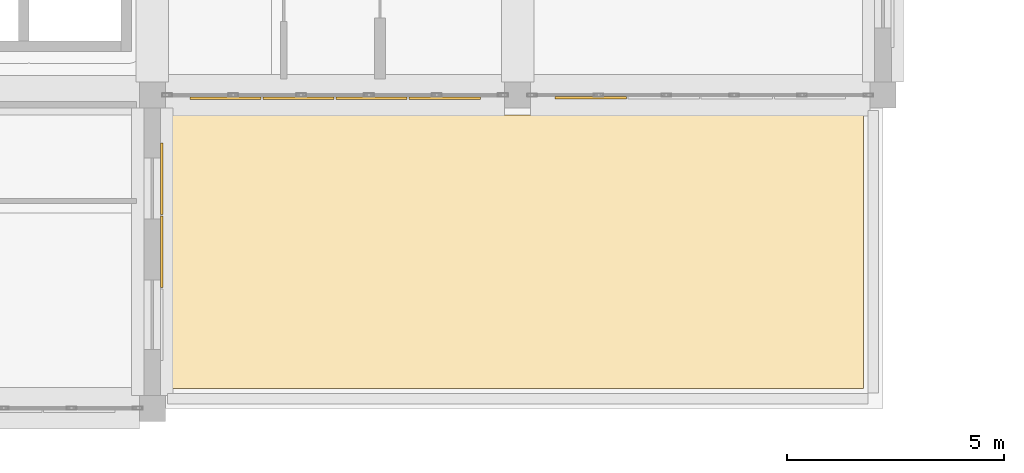
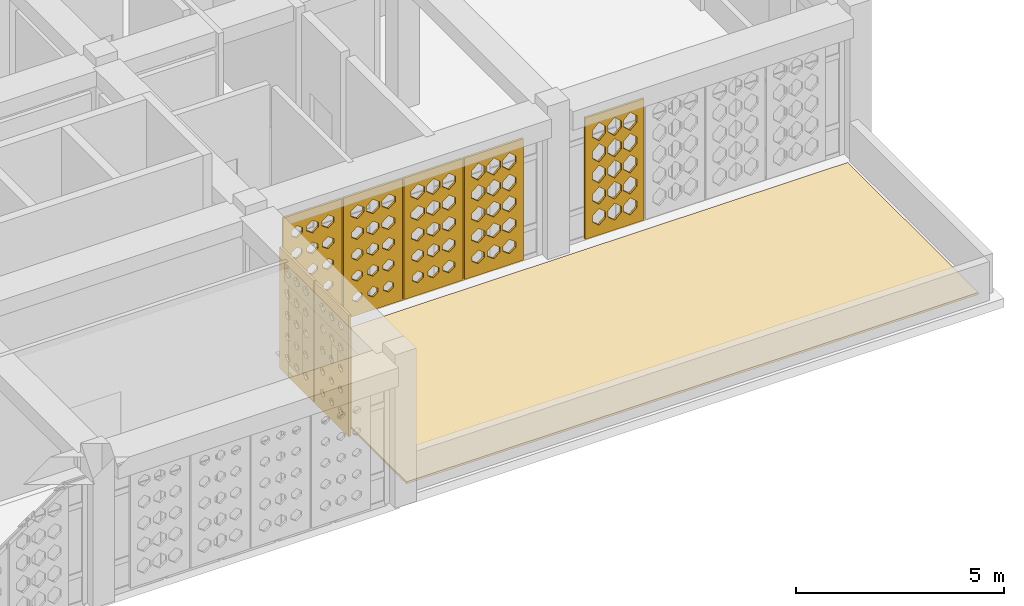
# One storey, part 21 of 28: 8 coverings.
"""IFC4 building model written with IfcOpenShell, lengths in metres."""

from ifc_helpers import new_model, si_unit, derived_unit, direction, frame, origin, place, context, subcontext, project, spatial, polyline, outline, extrude, material, layer, layer_set, type_object, element, save


model = new_model("IFC4")

# Units and contexts
model_context = context("Model", 3, precision=1e-05, world=origin(), true_north=direction((0.0, 1.0)))
body_context = subcontext(model_context, "Body", "Model", "MODEL_VIEW")
ifc_project = project(units=[si_unit("LENGTHUNIT", "METRE"), si_unit("AREAUNIT", "SQUARE_METRE"), si_unit("VOLUMEUNIT", "CUBIC_METRE"), si_unit("PLANEANGLEUNIT", "RADIAN"), si_unit("MASSUNIT", "GRAM", prefix="KILO"), derived_unit("THERMALTRANSMITTANCEUNIT", [(si_unit("POWERUNIT", "WATT"), 1), (si_unit("LENGTHUNIT", "METRE"), -2), (si_unit("THERMODYNAMICTEMPERATUREUNIT", "KELVIN"), -1)])], contexts=[model_context])

# Site, building, storey
site_placement = place(None, origin())
site = spatial("IfcSite", under=ifc_project, at=site_placement, CompositionType="ELEMENT")
building_placement = place(site_placement, origin())
building = spatial("IfcBuilding", under=site, at=building_placement, Name="Veybourne Emporium", CompositionType="ELEMENT")
storey_placement = place(building_placement, frame((0.0, 0.0, 32.10009765625)))
storey = spatial("IfcBuildingStorey", under=building, at=storey_placement, Name="L07", CompositionType="ELEMENT", Elevation=32.10009765625)

# Coverings
ifc_material_1 = material(Name="Single-Ply Warm Roof Membrane", Category="membrane")
ifc_layer_1 = layer(ifc_material_1, 0.06005859375)
ifc_layer_set_1 = layer_set([ifc_layer_1], Name="Single-Ply Warm Roof Membrane")
covering_type_1 = type_object("IfcCoveringType", Name="Roofing_RFG-01", PredefinedType="ROOFING", material=ifc_layer_set_1)
covering_1_placement = place(storey_placement, origin())
element("IfcCovering", 1, at=covering_1_placement, inside=storey, type_object=covering_type_1, Name="L07 warm-roof waterproofing membrane 1.1", PredefinedType="ROOFING", context=body_context, shape_type="SweptSolid", body=[
    extrude(outline(polyline([(49.949951171875, 13.949951171875), (49.949951171875, 7.64990234375), (34.050048828125, 7.64990234375), (34.050048828125, 13.949951171875), (49.949951171875, 13.949951171875)])), origin(), (0.0, 0.0, 1.0), 0.059814453125),
])
ifc_material_2 = material(Name="Warm-White Perforated Aluminium Screen Alloy", Category="aluminium")
ifc_layer_2 = layer(ifc_material_2, 0.06005859375)
ifc_layer_set_2 = layer_set([ifc_layer_2], Name="Warm-White Perforated Aluminium Screen Alloy")
covering_type_2 = type_object("IfcCoveringType", Name="WaveScreen_SCR-01", PredefinedType="CLADDING", material=ifc_layer_set_2)
covering_2_placement = place(storey_placement, frame((33.84814453125, 12.47998046875, 1.844970703125), z_axis=(-1.0, 0.0, 0.0), x_axis=(0.0, -1.0, 0.0)))
element("IfcCovering", 2, at=covering_2_placement, inside=storey, type_object=covering_type_2, Name="L07 wave-perforated aluminium screen SCR-01 (12.1)", PredefinedType="CLADDING", context=body_context, shape_type="SweptSolid", body=[
    extrude(outline(polyline([(-0.81982421875, -1.78515625), (0.81982421875, -1.78515625), (0.81982421875, 1.78515625), (-0.81982421875, 1.78515625), (-0.81982421875, -1.78515625)]), holes=[polyline([(-0.433349609375, -1.138671875), (-0.33056640625, -1.211181640625), (-0.33056640625, -1.292724609375), (-0.433349609375, -1.365478515625), (-0.5361328125, -1.292724609375), (-0.5361328125, -1.211181640625), (-0.433349609375, -1.138671875)]), polyline([(-0.433349609375, -0.50732421875), (-0.326416015625, -0.583251953125), (-0.326416015625, -0.668701171875), (-0.433349609375, -0.74462890625), (-0.540283203125, -0.668701171875), (-0.540283203125, -0.583251953125), (-0.433349609375, -0.50732421875)]), polyline([(-0.433349609375, 0.126220703125), (-0.320068359375, 0.04541015625), (-0.320068359375, -0.04541015625), (-0.433349609375, -0.126220703125), (-0.546630859375, -0.04541015625), (-0.546630859375, 0.04541015625), (-0.433349609375, 0.126220703125)]), polyline([(-0.433349609375, 0.76171875), (-0.312255859375, 0.6748046875), (-0.312255859375, 0.5771484375), (-0.433349609375, 0.490234375), (-0.554443359375, 0.5771484375), (-0.554443359375, 0.6748046875), (-0.433349609375, 0.76171875)]), polyline([(-0.433349609375, 1.399169921875), (-0.302978515625, 1.304931640625), (-0.302978515625, 1.198974609375), (-0.433349609375, 1.10498046875), (-0.563720703125, 1.198974609375), (-0.563720703125, 1.304931640625), (-0.433349609375, 1.399169921875)]), polyline([(0.0, -1.14013671875), (0.1015625, -1.2119140625), (0.1015625, -1.292236328125), (0.0, -1.36376953125), (-0.1015625, -1.292236328125), (-0.1015625, -1.2119140625), (0.0, -1.14013671875)]), polyline([(0.0, -0.510009765625), (0.10498046875, -0.584228515625), (0.10498046875, -0.667724609375), (0.0, -0.741943359375), (-0.10498046875, -0.667724609375), (-0.10498046875, -0.584228515625), (0.0, -0.510009765625)]), polyline([(0.0, 0.12255859375), (0.1103515625, 0.044189453125), (0.1103515625, -0.044189453125), (0.0, -0.12255859375), (-0.1103515625, -0.044189453125), (-0.1103515625, 0.044189453125), (0.0, 0.12255859375)]), polyline([(0.0, 0.75732421875), (0.117431640625, 0.67333984375), (0.117431640625, 0.57861328125), (0.0, 0.49462890625), (-0.117431640625, 0.57861328125), (-0.117431640625, 0.67333984375), (0.0, 0.75732421875)]), polyline([(0.0, 1.393798828125), (0.126220703125, 1.302978515625), (0.126220703125, 1.200927734375), (0.0, 1.110107421875), (-0.126220703125, 1.200927734375), (-0.126220703125, 1.302978515625), (0.0, 1.393798828125)]), polyline([(0.433349609375, -1.141357421875), (0.533935546875, -1.212158203125), (0.533935546875, -1.2919921875), (0.433349609375, -1.36279296875), (0.332763671875, -1.2919921875), (0.332763671875, -1.212158203125), (0.433349609375, -1.141357421875)]), polyline([(0.433349609375, -0.51220703125), (0.53662109375, -0.5849609375), (0.53662109375, -0.6669921875), (0.433349609375, -0.73974609375), (0.330078125, -0.6669921875), (0.330078125, -0.5849609375), (0.433349609375, -0.51220703125)]), polyline([(0.433349609375, 0.119384765625), (0.541015625, 0.04296875), (0.541015625, -0.04296875), (0.433349609375, -0.119384765625), (0.32568359375, -0.04296875), (0.32568359375, 0.04296875), (0.433349609375, 0.119384765625)]), polyline([(0.433349609375, 0.753173828125), (0.54736328125, 0.671875), (0.54736328125, 0.580078125), (0.433349609375, 0.498779296875), (0.3193359375, 0.580078125), (0.3193359375, 0.671875), (0.433349609375, 0.753173828125)]), polyline([(0.433349609375, 1.388916015625), (0.555419921875, 1.30126953125), (0.555419921875, 1.20263671875), (0.433349609375, 1.114990234375), (0.311279296875, 1.20263671875), (0.311279296875, 1.30126953125), (0.433349609375, 1.388916015625)])]), origin(), (0.0, 0.0, 1.0), 0.06005859375),
])
covering_3_placement = place(storey_placement, frame((36.9599609375, 14.302978515625, 1.844970703125), z_axis=(0.0, 1.0, 0.0), x_axis=(-1.0, 0.0, 0.0)))
element("IfcCovering", 3, at=covering_3_placement, inside=storey, type_object=covering_type_2, Name="L07 wave-perforated aluminium screen SCR-01 (14C.3)", PredefinedType="CLADDING", context=body_context, shape_type="SweptSolid", body=[
    extrude(outline(polyline([(-0.81982421875, -1.78515625), (0.81982421875, -1.78515625), (0.81982421875, 1.78515625), (-0.81982421875, 1.78515625), (-0.81982421875, -1.78515625)]), holes=[polyline([(-0.433349609375, -1.090576171875), (-0.291259765625, -1.19384765625), (-0.291259765625, -1.310302734375), (-0.433349609375, -1.41357421875), (-0.575439453125, -1.310302734375), (-0.575439453125, -1.19384765625), (-0.433349609375, -1.090576171875)]), polyline([(-0.433349609375, -0.45068359375), (-0.27978515625, -0.56298828125), (-0.27978515625, -0.689208984375), (-0.433349609375, -0.80126953125), (-0.5869140625, -0.689208984375), (-0.5869140625, -0.56298828125), (-0.433349609375, -0.45068359375)]), polyline([(-0.433349609375, 0.189697265625), (-0.26806640625, 0.068359375), (-0.26806640625, -0.068359375), (-0.433349609375, -0.189697265625), (-0.598388671875, -0.068359375), (-0.598388671875, 0.068359375), (-0.433349609375, 0.189697265625)]), polyline([(-0.433349609375, 0.830078125), (-0.25634765625, 0.699462890625), (-0.25634765625, 0.552490234375), (-0.433349609375, 0.421875), (-0.6103515625, 0.552490234375), (-0.6103515625, 0.699462890625), (-0.433349609375, 0.830078125)]), polyline([(-0.433349609375, 1.47021484375), (-0.2470703125, 1.33056640625), (-0.2470703125, 1.173583984375), (-0.433349609375, 1.03369140625), (-0.61962890625, 1.173583984375), (-0.61962890625, 1.33056640625), (-0.433349609375, 1.47021484375)]), polyline([(0.0, -1.09619140625), (0.137451171875, -1.196044921875), (0.137451171875, -1.30810546875), (0.0, -1.40771484375), (-0.137451171875, -1.30810546875), (-0.137451171875, -1.196044921875), (0.0, -1.09619140625)]), polyline([(0.0, -0.456787109375), (0.1484375, -0.565185546875), (0.1484375, -0.68701171875), (0.0, -0.795166015625), (-0.1484375, -0.68701171875), (-0.1484375, -0.565185546875), (0.0, -0.456787109375)]), polyline([(0.0, 0.183349609375), (0.159912109375, 0.06591796875), (0.159912109375, -0.06591796875), (0.0, -0.183349609375), (-0.159912109375, -0.06591796875), (-0.159912109375, 0.06591796875), (0.0, 0.183349609375)]), polyline([(0.0, 0.82373046875), (0.171875, 0.697265625), (0.171875, 0.5546875), (0.0, 0.42822265625), (-0.171875, 0.5546875), (-0.171875, 0.697265625), (0.0, 0.82373046875)]), polyline([(0.0, 1.464111328125), (0.183349609375, 1.328369140625), (0.183349609375, 1.17578125), (0.0, 1.0400390625), (-0.183349609375, 1.17578125), (-0.183349609375, 1.328369140625), (0.0, 1.464111328125)]), polyline([(0.433349609375, -1.10205078125), (0.566162109375, -1.197998046875), (0.566162109375, -1.305908203125), (0.433349609375, -1.402099609375), (0.300537109375, -1.305908203125), (0.300537109375, -1.197998046875), (0.433349609375, -1.10205078125)]), polyline([(0.433349609375, -0.462890625), (0.57666015625, -0.5673828125), (0.57666015625, -0.684814453125), (0.433349609375, -0.7890625), (0.2900390625, -0.684814453125), (0.2900390625, -0.5673828125), (0.433349609375, -0.462890625)]), polyline([(0.433349609375, 0.177001953125), (0.588134765625, 0.063720703125), (0.588134765625, -0.063720703125), (0.433349609375, -0.177001953125), (0.278564453125, -0.063720703125), (0.278564453125, 0.063720703125), (0.433349609375, 0.177001953125)]), polyline([(0.433349609375, 0.8173828125), (0.599853515625, 0.69482421875), (0.599853515625, 0.55712890625), (0.433349609375, 0.434814453125), (0.266845703125, 0.55712890625), (0.266845703125, 0.69482421875), (0.433349609375, 0.8173828125)]), polyline([(0.433349609375, 1.457763671875), (0.611572265625, 1.325927734375), (0.611572265625, 1.177978515625), (0.433349609375, 1.04638671875), (0.255126953125, 1.177978515625), (0.255126953125, 1.325927734375), (0.433349609375, 1.457763671875)])]), origin(), (0.0, 0.0, 1.0), 0.06005859375),
])
ifc_layer_3 = layer(ifc_material_2, 0.06005859375)
ifc_layer_set_3 = layer_set([ifc_layer_3], Name="Warm-White Perforated Aluminium Screen Alloy")
covering_type_3 = type_object("IfcCoveringType", Name="WaveScreen_SCR-02", PredefinedType="CLADDING", material=ifc_layer_set_3)
covering_4_placement = place(storey_placement, frame((33.84814453125, 10.800048828125, 1.844970703125), z_axis=(-1.0, 0.0, 0.0), x_axis=(0.0, -1.0, 0.0)))
element("IfcCovering", 4, at=covering_4_placement, inside=storey, type_object=covering_type_3, Name="L07 wave-perforated aluminium screen SCR-02 (12.2)", PredefinedType="CLADDING", context=body_context, shape_type="SweptSolid", body=[
    extrude(outline(polyline([(-0.81982421875, -1.78515625), (0.81982421875, -1.78515625), (0.81982421875, 1.78515625), (-0.81982421875, 1.78515625), (-0.81982421875, -1.78515625)]), holes=[polyline([(-0.433349609375, -1.14208984375), (-0.333251953125, -1.21240234375), (-0.333251953125, -1.29150390625), (-0.433349609375, -1.362060546875), (-0.533203125, -1.29150390625), (-0.533203125, -1.21240234375), (-0.433349609375, -1.14208984375)]), polyline([(-0.433349609375, -0.514892578125), (-0.33251953125, -0.5859375), (-0.33251953125, -0.666015625), (-0.433349609375, -0.737060546875), (-0.5341796875, -0.666015625), (-0.5341796875, -0.5859375), (-0.433349609375, -0.514892578125)]), polyline([(-0.433349609375, 0.114501953125), (-0.32958984375, 0.041259765625), (-0.32958984375, -0.041259765625), (-0.433349609375, -0.114501953125), (-0.537109375, -0.041259765625), (-0.537109375, 0.041259765625), (-0.433349609375, 0.114501953125)]), polyline([(-0.433349609375, 0.74658203125), (-0.32470703125, 0.66943359375), (-0.32470703125, 0.58251953125), (-0.433349609375, 0.505615234375), (-0.5419921875, 0.58251953125), (-0.5419921875, 0.66943359375), (-0.433349609375, 0.74658203125)]), polyline([(-0.433349609375, 1.380615234375), (-0.318115234375, 1.29833984375), (-0.318115234375, 1.205810546875), (-0.433349609375, 1.123291015625), (-0.548583984375, 1.205810546875), (-0.548583984375, 1.29833984375), (-0.433349609375, 1.380615234375)]), polyline([(0.0, -1.1416015625), (0.100341796875, -1.21240234375), (0.100341796875, -1.291748046875), (0.0, -1.3623046875), (-0.100341796875, -1.291748046875), (-0.100341796875, -1.21240234375), (0.0, -1.1416015625)]), polyline([(0.0, -0.515625), (0.10009765625, -0.586181640625), (0.10009765625, -0.665771484375), (0.0, -0.736328125), (-0.10009765625, -0.665771484375), (-0.10009765625, -0.586181640625), (0.0, -0.515625)]), polyline([(0.0, 0.11279296875), (0.102294921875, 0.04052734375), (0.102294921875, -0.04052734375), (0.0, -0.11279296875), (-0.102294921875, -0.04052734375), (-0.102294921875, 0.04052734375), (0.0, 0.11279296875)]), polyline([(0.0, 0.74365234375), (0.106201171875, 0.668212890625), (0.106201171875, 0.583740234375), (0.0, 0.50830078125), (-0.106201171875, 0.583740234375), (-0.106201171875, 0.668212890625), (0.0, 0.74365234375)]), polyline([(0.0, 1.376708984375), (0.112060546875, 1.296875), (0.112060546875, 1.20703125), (0.0, 1.127197265625), (-0.112060546875, 1.20703125), (-0.112060546875, 1.296875), (0.0, 1.376708984375)]), polyline([(0.433349609375, -1.140869140625), (0.5341796875, -1.2119140625), (0.5341796875, -1.2919921875), (0.433349609375, -1.36328125), (0.332275390625, -1.2919921875), (0.332275390625, -1.2119140625), (0.433349609375, -1.140869140625)]), polyline([(0.433349609375, -0.51611328125), (0.533203125, -0.58642578125), (0.533203125, -0.66552734375), (0.433349609375, -0.736083984375), (0.333251953125, -0.66552734375), (0.333251953125, -0.58642578125), (0.433349609375, -0.51611328125)]), polyline([(0.433349609375, 0.111328125), (0.534423828125, 0.0400390625), (0.534423828125, -0.0400390625), (0.433349609375, -0.111328125), (0.332275390625, -0.0400390625), (0.332275390625, 0.0400390625), (0.433349609375, 0.111328125)]), polyline([(0.433349609375, 0.7412109375), (0.53759765625, 0.66748046875), (0.53759765625, 0.584716796875), (0.433349609375, 0.510986328125), (0.3291015625, 0.584716796875), (0.3291015625, 0.66748046875), (0.433349609375, 0.7412109375)]), polyline([(0.433349609375, 1.373291015625), (0.54248046875, 1.295654296875), (0.54248046875, 1.208251953125), (0.433349609375, 1.130615234375), (0.32421875, 1.208251953125), (0.32421875, 1.295654296875), (0.433349609375, 1.373291015625)])]), origin(), (0.0, 0.0, 1.0), 0.06005859375),
])
covering_5_placement = place(storey_placement, frame((35.280029296875, 14.302978515625, 1.844970703125), z_axis=(0.0, 1.0, 0.0), x_axis=(-1.0, 0.0, 0.0)))
element("IfcCovering", 5, at=covering_5_placement, inside=storey, type_object=covering_type_3, Name="L07 wave-perforated aluminium screen SCR-02 (14C.4)", PredefinedType="CLADDING", context=body_context, shape_type="SweptSolid", body=[
    extrude(outline(polyline([(-0.81982421875, -1.78515625), (0.81982421875, -1.78515625), (0.81982421875, 1.78515625), (-0.81982421875, 1.78515625), (-0.81982421875, -1.78515625)]), holes=[polyline([(-0.433349609375, -1.11181640625), (-0.30859375, -1.201416015625), (-0.30859375, -1.302490234375), (-0.433349609375, -1.39208984375), (-0.55810546875, -1.302490234375), (-0.55810546875, -1.201416015625), (-0.433349609375, -1.11181640625)]), polyline([(-0.433349609375, -0.473876953125), (-0.298828125, -0.5712890625), (-0.298828125, -0.680908203125), (-0.433349609375, -0.778076171875), (-0.56787109375, -0.680908203125), (-0.56787109375, -0.5712890625), (-0.433349609375, -0.473876953125)]), polyline([(-0.433349609375, 0.165283203125), (-0.2880859375, 0.0595703125), (-0.2880859375, -0.0595703125), (-0.433349609375, -0.165283203125), (-0.57861328125, -0.0595703125), (-0.57861328125, 0.0595703125), (-0.433349609375, 0.165283203125)]), polyline([(-0.433349609375, 0.80517578125), (-0.276611328125, 0.6904296875), (-0.276611328125, 0.5615234375), (-0.433349609375, 0.44677734375), (-0.590087890625, 0.5615234375), (-0.590087890625, 0.6904296875), (-0.433349609375, 0.80517578125)]), polyline([(-0.433349609375, 1.44580078125), (-0.264892578125, 1.32177734375), (-0.264892578125, 1.182373046875), (-0.433349609375, 1.058349609375), (-0.601806640625, 1.182373046875), (-0.601806640625, 1.32177734375), (-0.433349609375, 1.44580078125)]), polyline([(0.0, -1.11669921875), (0.12060546875, -1.203369140625), (0.12060546875, -1.30078125), (0.0, -1.387451171875), (-0.12060546875, -1.30078125), (-0.12060546875, -1.203369140625), (0.0, -1.11669921875)]), polyline([(0.0, -0.4794921875), (0.1298828125, -0.5732421875), (0.1298828125, -0.6787109375), (0.0, -0.772705078125), (-0.1298828125, -0.6787109375), (-0.1298828125, -0.5732421875), (0.0, -0.4794921875)]), polyline([(0.0, 0.1591796875), (0.140380859375, 0.057373046875), (0.140380859375, -0.057373046875), (0.0, -0.1591796875), (-0.140380859375, -0.057373046875), (-0.140380859375, 0.057373046875), (0.0, 0.1591796875)]), polyline([(0.0, 0.798828125), (0.151611328125, 0.688232421875), (0.151611328125, 0.563720703125), (0.0, 0.453125), (-0.151611328125, 0.563720703125), (-0.151611328125, 0.688232421875), (0.0, 0.798828125)]), polyline([(0.0, 1.439208984375), (0.1630859375, 1.3193359375), (0.1630859375, 1.1845703125), (0.0, 1.064697265625), (-0.1630859375, 1.1845703125), (-0.1630859375, 1.3193359375), (0.0, 1.439208984375)]), polyline([(0.433349609375, -1.12109375), (0.55029296875, -1.204833984375), (0.55029296875, -1.299072265625), (0.433349609375, -1.3828125), (0.316162109375, -1.299072265625), (0.316162109375, -1.204833984375), (0.433349609375, -1.12109375)]), polyline([(0.433349609375, -0.484619140625), (0.55908203125, -0.5751953125), (0.55908203125, -0.677001953125), (0.433349609375, -0.767333984375), (0.3076171875, -0.677001953125), (0.3076171875, -0.5751953125), (0.433349609375, -0.484619140625)]), polyline([(0.433349609375, 0.153564453125), (0.56884765625, 0.055419921875), (0.56884765625, -0.055419921875), (0.433349609375, -0.153564453125), (0.2978515625, -0.055419921875), (0.2978515625, 0.055419921875), (0.433349609375, 0.153564453125)]), polyline([(0.433349609375, 0.792724609375), (0.579833984375, 0.68603515625), (0.579833984375, 0.56591796875), (0.433349609375, 0.459228515625), (0.286865234375, 0.56591796875), (0.286865234375, 0.68603515625), (0.433349609375, 0.792724609375)]), polyline([(0.433349609375, 1.432861328125), (0.59130859375, 1.317138671875), (0.59130859375, 1.18701171875), (0.433349609375, 1.0712890625), (0.275390625, 1.18701171875), (0.275390625, 1.317138671875), (0.433349609375, 1.432861328125)])]), origin(), (0.0, 0.0, 1.0), 0.06005859375),
])
ifc_layer_4 = layer(ifc_material_2, 0.06005859375)
ifc_layer_set_4 = layer_set([ifc_layer_4], Name="Warm-White Perforated Aluminium Screen Alloy")
covering_type_4 = type_object("IfcCoveringType", Name="WaveScreen_SCR-03", PredefinedType="CLADDING", material=ifc_layer_set_4)
covering_6_placement = place(storey_placement, frame((40.320068359375, 14.302978515625, 1.844970703125), z_axis=(0.0, 1.0, 0.0), x_axis=(-1.0, 0.0, 0.0)))
element("IfcCovering", 6, at=covering_6_placement, inside=storey, type_object=covering_type_4, Name="L07 wave-perforated aluminium screen SCR-03 (14C.1)", PredefinedType="CLADDING", context=body_context, shape_type="SweptSolid", body=[
    extrude(outline(polyline([(-0.81982421875, -1.78515625), (0.81982421875, -1.78515625), (0.81982421875, 1.78515625), (-0.81982421875, 1.78515625), (-0.81982421875, -1.78515625)]), holes=[polyline([(-0.433349609375, -1.04150390625), (-0.251220703125, -1.17626953125), (-0.251220703125, -1.327880859375), (-0.433349609375, -1.46240234375), (-0.615478515625, -1.327880859375), (-0.615478515625, -1.17626953125), (-0.433349609375, -1.04150390625)]), polyline([(-0.433349609375, -0.401611328125), (-0.2470703125, -0.54541015625), (-0.2470703125, -0.706787109375), (-0.433349609375, -0.850341796875), (-0.61962890625, -0.706787109375), (-0.61962890625, -0.54541015625), (-0.433349609375, -0.401611328125)]), polyline([(-0.433349609375, 0.237060546875), (-0.2470703125, 0.085205078125), (-0.2470703125, -0.085205078125), (-0.433349609375, -0.237060546875), (-0.61962890625, -0.085205078125), (-0.61962890625, 0.085205078125), (-0.433349609375, 0.237060546875)]), polyline([(-0.433349609375, 0.87451171875), (-0.2470703125, 0.715576171875), (-0.2470703125, 0.53662109375), (-0.433349609375, 0.37744140625), (-0.61962890625, 0.53662109375), (-0.61962890625, 0.715576171875), (-0.433349609375, 0.87451171875)]), polyline([(-0.433349609375, 1.51025390625), (-0.2470703125, 1.344970703125), (-0.2470703125, 1.1591796875), (-0.433349609375, 0.993896484375), (-0.61962890625, 1.1591796875), (-0.61962890625, 1.344970703125), (-0.433349609375, 1.51025390625)]), polyline([(0.0, -1.0478515625), (0.177001953125, -1.178466796875), (0.177001953125, -1.325439453125), (0.0, -1.456298828125), (-0.177001953125, -1.325439453125), (-0.177001953125, -1.178466796875), (0.0, -1.0478515625)]), polyline([(0.0, -0.40771484375), (0.186279296875, -0.54736328125), (0.186279296875, -0.70458984375), (0.0, -0.84423828125), (-0.186279296875, -0.70458984375), (-0.186279296875, -0.54736328125), (0.0, -0.40771484375)]), polyline([(0.0, 0.2314453125), (0.186279296875, 0.083251953125), (0.186279296875, -0.083251953125), (0.0, -0.2314453125), (-0.186279296875, -0.083251953125), (-0.186279296875, 0.083251953125), (0.0, 0.2314453125)]), polyline([(0.0, 0.86962890625), (0.186279296875, 0.713623046875), (0.186279296875, 0.538330078125), (0.0, 0.38232421875), (-0.186279296875, 0.538330078125), (-0.186279296875, 0.713623046875), (0.0, 0.86962890625)]), polyline([(0.0, 1.506103515625), (0.186279296875, 1.343505859375), (0.186279296875, 1.160400390625), (0.0, 0.997802734375), (-0.186279296875, 1.160400390625), (-0.186279296875, 1.343505859375), (0.0, 1.506103515625)]), polyline([(0.433349609375, -1.05419921875), (0.605224609375, -1.180908203125), (0.605224609375, -1.3232421875), (0.433349609375, -1.44970703125), (0.261474609375, -1.3232421875), (0.261474609375, -1.180908203125), (0.433349609375, -1.05419921875)]), polyline([(0.433349609375, -0.413818359375), (0.61669921875, -0.5498046875), (0.61669921875, -0.702392578125), (0.433349609375, -0.838134765625), (0.249755859375, -0.702392578125), (0.249755859375, -0.5498046875), (0.433349609375, -0.413818359375)]), polyline([(0.433349609375, 0.2255859375), (0.61962890625, 0.081298828125), (0.61962890625, -0.081298828125), (0.433349609375, -0.2255859375), (0.2470703125, -0.081298828125), (0.2470703125, 0.081298828125), (0.433349609375, 0.2255859375)]), polyline([(0.433349609375, 0.864501953125), (0.61962890625, 0.7119140625), (0.61962890625, 0.540283203125), (0.433349609375, 0.3876953125), (0.2470703125, 0.540283203125), (0.2470703125, 0.7119140625), (0.433349609375, 0.864501953125)]), polyline([(0.433349609375, 1.501708984375), (0.61962890625, 1.341796875), (0.61962890625, 1.162109375), (0.433349609375, 1.00244140625), (0.2470703125, 1.162109375), (0.2470703125, 1.341796875), (0.433349609375, 1.501708984375)])]), origin(), (0.0, 0.0, 1.0), 0.06005859375),
])
ifc_layer_5 = layer(ifc_material_2, 0.06005859375)
ifc_layer_set_5 = layer_set([ifc_layer_5], Name="Warm-White Perforated Aluminium Screen Alloy")
covering_type_5 = type_object("IfcCoveringType", Name="WaveScreen_SCR-04", PredefinedType="CLADDING", material=ifc_layer_set_5)
covering_7_placement = place(storey_placement, frame((38.639892578125, 14.302978515625, 1.844970703125), z_axis=(0.0, 1.0, 0.0), x_axis=(-1.0, 0.0, 0.0)))
element("IfcCovering", 7, at=covering_7_placement, inside=storey, type_object=covering_type_5, Name="L07 wave-perforated aluminium screen SCR-04 (14C.2)", PredefinedType="CLADDING", context=body_context, shape_type="SweptSolid", body=[
    extrude(outline(polyline([(-0.81982421875, -1.78515625), (0.81982421875, -1.78515625), (0.81982421875, 1.78515625), (-0.81982421875, 1.78515625), (-0.81982421875, -1.78515625)]), holes=[polyline([(-0.433349609375, -1.06640625), (-0.271484375, -1.18505859375), (-0.271484375, -1.31884765625), (-0.433349609375, -1.437744140625), (-0.59521484375, -1.31884765625), (-0.59521484375, -1.18505859375), (-0.433349609375, -1.06640625)]), polyline([(-0.433349609375, -0.42578125), (-0.259521484375, -0.553955078125), (-0.259521484375, -0.697998046875), (-0.433349609375, -0.826171875), (-0.607177734375, -0.697998046875), (-0.607177734375, -0.553955078125), (-0.433349609375, -0.42578125)]), polyline([(-0.433349609375, 0.21435546875), (-0.247802734375, 0.0771484375), (-0.247802734375, -0.0771484375), (-0.433349609375, -0.21435546875), (-0.61865234375, -0.0771484375), (-0.61865234375, 0.0771484375), (-0.433349609375, 0.21435546875)]), polyline([(-0.433349609375, 0.85400390625), (-0.2470703125, 0.7080078125), (-0.2470703125, 0.5439453125), (-0.433349609375, 0.398193359375), (-0.61962890625, 0.5439453125), (-0.61962890625, 0.7080078125), (-0.433349609375, 0.85400390625)]), polyline([(-0.433349609375, 1.492431640625), (-0.2470703125, 1.33837890625), (-0.2470703125, 1.16552734375), (-0.433349609375, 1.01171875), (-0.61962890625, 1.16552734375), (-0.61962890625, 1.33837890625), (-0.433349609375, 1.492431640625)]), polyline([(0.0, -1.07275390625), (0.15673828125, -1.1875), (0.15673828125, -1.316650390625), (0.0, -1.431396484375), (-0.15673828125, -1.316650390625), (-0.15673828125, -1.1875), (0.0, -1.07275390625)]), polyline([(0.0, -0.432373046875), (0.16845703125, -0.556396484375), (0.16845703125, -0.69580078125), (0.0, -0.819580078125), (-0.16845703125, -0.69580078125), (-0.16845703125, -0.556396484375), (0.0, -0.432373046875)]), polyline([(0.0, 0.2080078125), (0.180419921875, 0.074951171875), (0.180419921875, -0.074951171875), (0.0, -0.2080078125), (-0.180419921875, -0.074951171875), (-0.180419921875, 0.074951171875), (0.0, 0.2080078125)]), polyline([(0.0, 0.847900390625), (0.186279296875, 0.705810546875), (0.186279296875, 0.546142578125), (0.0, 0.404052734375), (-0.186279296875, 0.546142578125), (-0.186279296875, 0.705810546875), (0.0, 0.847900390625)]), polyline([(0.0, 1.487060546875), (0.186279296875, 1.336669921875), (0.186279296875, 1.16748046875), (0.0, 1.01708984375), (-0.186279296875, 1.16748046875), (-0.186279296875, 1.336669921875), (0.0, 1.487060546875)]), polyline([(0.433349609375, -1.0791015625), (0.5849609375, -1.189697265625), (0.5849609375, -1.314208984375), (0.433349609375, -1.425048828125), (0.28173828125, -1.314208984375), (0.28173828125, -1.189697265625), (0.433349609375, -1.0791015625)]), polyline([(0.433349609375, -0.438720703125), (0.5966796875, -0.55859375), (0.5966796875, -0.693359375), (0.433349609375, -0.813232421875), (0.27001953125, -0.693359375), (0.27001953125, -0.55859375), (0.433349609375, -0.438720703125)]), polyline([(0.433349609375, 0.20166015625), (0.6083984375, 0.072509765625), (0.6083984375, -0.072509765625), (0.433349609375, -0.20166015625), (0.25830078125, -0.072509765625), (0.25830078125, 0.072509765625), (0.433349609375, 0.20166015625)]), polyline([(0.433349609375, 0.841796875), (0.61962890625, 0.70361328125), (0.61962890625, 0.54833984375), (0.433349609375, 0.41015625), (0.2470703125, 0.54833984375), (0.2470703125, 0.70361328125), (0.433349609375, 0.841796875)]), polyline([(0.433349609375, 1.481201171875), (0.61962890625, 1.334716796875), (0.61962890625, 1.16943359375), (0.433349609375, 1.022705078125), (0.2470703125, 1.16943359375), (0.2470703125, 1.334716796875), (0.433349609375, 1.481201171875)])]), origin(), (0.0, 0.0, 1.0), 0.06005859375),
])
covering_8_placement = place(storey_placement, frame((43.679931640625, 14.306884765625, 1.844970703125), z_axis=(0.0, 1.0, 0.0), x_axis=(-1.0, 0.0, 0.0)))
element("IfcCovering", 8, at=covering_8_placement, inside=storey, type_object=covering_type_5, Name="L07 wave-perforated aluminium screen SCR-04 (16C.4)", PredefinedType="CLADDING", context=body_context, shape_type="SweptSolid", body=[
    extrude(outline(polyline([(-0.81982421875, -1.78515625), (0.81982421875, -1.78515625), (0.81982421875, 1.78515625), (-0.81982421875, 1.78515625), (-0.81982421875, -1.78515625)]), holes=[polyline([(-0.433349609375, -0.998779296875), (-0.2470703125, -1.160888671875), (-0.2470703125, -1.343017578125), (-0.433349609375, -1.505126953125), (-0.61962890625, -1.343017578125), (-0.61962890625, -1.160888671875), (-0.433349609375, -0.998779296875)]), polyline([(-0.433349609375, -0.364013671875), (-0.2470703125, -0.53173828125), (-0.2470703125, -0.72021484375), (-0.433349609375, -0.887939453125), (-0.61962890625, -0.72021484375), (-0.61962890625, -0.53173828125), (-0.433349609375, -0.364013671875)]), polyline([(-0.433349609375, 0.268798828125), (-0.2470703125, 0.0966796875), (-0.2470703125, -0.0966796875), (-0.433349609375, -0.268798828125), (-0.61962890625, -0.0966796875), (-0.61962890625, 0.0966796875), (-0.433349609375, 0.268798828125)]), polyline([(-0.433349609375, 0.895263671875), (-0.2470703125, 0.722900390625), (-0.2470703125, 0.529052734375), (-0.433349609375, 0.356689453125), (-0.61962890625, 0.529052734375), (-0.61962890625, 0.722900390625), (-0.433349609375, 0.895263671875)]), polyline([(-0.433349609375, 1.521240234375), (-0.2470703125, 1.348876953125), (-0.2470703125, 1.155029296875), (-0.433349609375, 0.98291015625), (-0.61962890625, 1.155029296875), (-0.61962890625, 1.348876953125), (-0.433349609375, 1.521240234375)]), polyline([(0.0, -1.00341796875), (0.186279296875, -1.16259765625), (0.186279296875, -1.341552734375), (0.0, -1.50048828125), (-0.186279296875, -1.341552734375), (-0.186279296875, -1.16259765625), (0.0, -1.00341796875)]), polyline([(0.0, -0.36767578125), (0.186279296875, -0.532958984375), (0.186279296875, -0.718994140625), (0.0, -0.88427734375), (-0.186279296875, -0.718994140625), (-0.186279296875, -0.532958984375), (0.0, -0.36767578125)]), polyline([(0.0, 0.26611328125), (0.186279296875, 0.095703125), (0.186279296875, -0.095703125), (0.0, -0.26611328125), (-0.186279296875, -0.095703125), (-0.186279296875, 0.095703125), (0.0, 0.26611328125)]), polyline([(0.0, 0.895263671875), (0.186279296875, 0.722900390625), (0.186279296875, 0.529052734375), (0.0, 0.356689453125), (-0.186279296875, 0.529052734375), (-0.186279296875, 0.722900390625), (0.0, 0.895263671875)]), polyline([(0.0, 1.521240234375), (0.186279296875, 1.348876953125), (0.186279296875, 1.155029296875), (0.0, 0.98291015625), (-0.186279296875, 1.155029296875), (-0.186279296875, 1.348876953125), (0.0, 1.521240234375)]), polyline([(0.433349609375, -1.00830078125), (0.61962890625, -1.164306640625), (0.61962890625, -1.339599609375), (0.433349609375, -1.49560546875), (0.2470703125, -1.339599609375), (0.2470703125, -1.164306640625), (0.433349609375, -1.00830078125)]), polyline([(0.433349609375, -0.371826171875), (0.61962890625, -0.534423828125), (0.61962890625, -0.717529296875), (0.433349609375, -0.880126953125), (0.2470703125, -0.717529296875), (0.2470703125, -0.534423828125), (0.433349609375, -0.371826171875)]), polyline([(0.433349609375, 0.2626953125), (0.61962890625, 0.094482421875), (0.61962890625, -0.094482421875), (0.433349609375, -0.2626953125), (0.2470703125, -0.094482421875), (0.2470703125, 0.094482421875), (0.433349609375, 0.2626953125)]), polyline([(0.433349609375, 0.895263671875), (0.61962890625, 0.722900390625), (0.61962890625, 0.529052734375), (0.433349609375, 0.356689453125), (0.2470703125, 0.529052734375), (0.2470703125, 0.722900390625), (0.433349609375, 0.895263671875)]), polyline([(0.433349609375, 1.521240234375), (0.61962890625, 1.348876953125), (0.61962890625, 1.155029296875), (0.433349609375, 0.98291015625), (0.2470703125, 1.155029296875), (0.2470703125, 1.348876953125), (0.433349609375, 1.521240234375)])]), origin(), (0.0, 0.0, 1.0), 0.06005859375),
])

save(model, "model.ifc")
